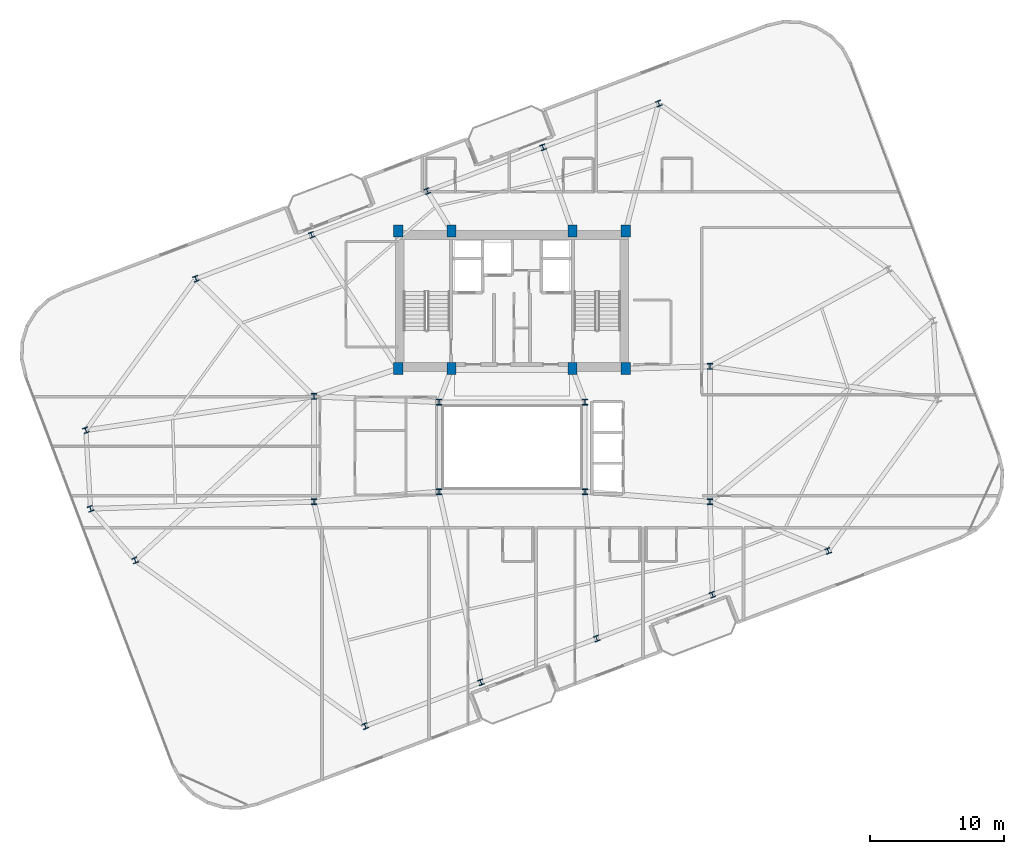
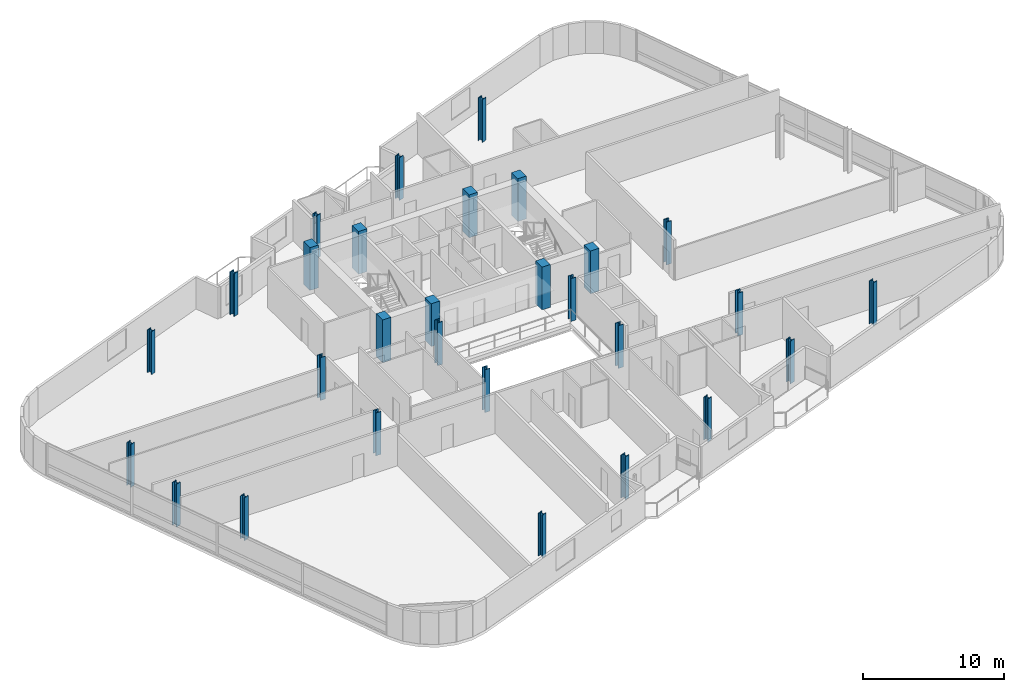
# One storey, part 1 of 24: 29 columns.
"""IFC4 building model written with IfcOpenShell, lengths in metres."""

from ifc_helpers import new_model, si_unit, direction, frame, origin, origin_2d, place, context, subcontext, project, spatial, rectangle, i_section, extrude, material, material_profile, profile_set, type_object, element, save


model = new_model("IFC4")

# Units and contexts
model_context = context("Model", 3, precision=1e-05, world=origin(), true_north=direction((0.0, 1.0)))
body_context = subcontext(model_context, "Body", "Model", "MODEL_VIEW")
ifc_project = project(units=[si_unit("LENGTHUNIT", "METRE"), si_unit("AREAUNIT", "SQUARE_METRE"), si_unit("VOLUMEUNIT", "CUBIC_METRE"), si_unit("PLANEANGLEUNIT", "RADIAN"), si_unit("MASSUNIT", "GRAM", prefix="KILO")], contexts=[model_context])

# Site, building, storey
site_placement = place(None, origin())
site = spatial("IfcSite", under=ifc_project, at=site_placement, CompositionType="ELEMENT")
building_placement = place(site_placement, origin())
building = spatial("IfcBuilding", under=site, at=building_placement, Name="Varnelok Gate Tower", CompositionType="ELEMENT")
storey_placement = place(building_placement, frame((0.0, 0.0, 242.300048828125)))
storey = spatial("IfcBuildingStorey", under=building, at=storey_placement, Name="L62", CompositionType="ELEMENT", Elevation=242.300048828125)

# Columns
ifc_material_1 = material(Name="Concrete C60/75", Category="concrete")
ifc_material_profile_1 = material_profile(ifc_material_1, rectangle(XDim=0.699951171875, YDim=0.89990234375, at=origin_2d()), Name="RC900X700")
ifc_profile_set_1 = profile_set([ifc_material_profile_1], Name="Concrete C60/75")
column_type_1 = type_object("IfcColumnType", Name="COL-RC900X700", PredefinedType="COLUMN", material=ifc_profile_set_1)
for number, where, z_axis, x_axis, name in (
    (1, (30.699951171875, 28.75, 0.0), (0.0, 0.0, 1.0), (1.0, 0.0, 0.0), "L62 Core Spine Column SC1"),
    (2, (34.679931640625, 28.75, 0.0), (0.0, 0.0, 1.0), (1.0, 0.0, 0.0), "L62 Core Spine Column SC2"),
    (3, (43.719970703125, 28.75, 0.0), (0.0, 0.0, 1.0), (1.0, 0.0, 0.0), "L62 Core Spine Column SC3"),
    (4, (47.699951171875, 28.75, 0.0), (0.0, 0.0, 1.0), (1.0, 0.0, 0.0), "L62 Core Spine Column SC4"),
    (5, (30.699951171875, 39.050048828125, 0.0), (0.0, 0.0, 1.0), (1.0, 0.0, 0.0), "L62 Core Spine Column SC5"),
    (6, (34.679931640625, 39.050048828125, 0.0), (0.0, 0.0, 1.0), (1.0, 0.0, 0.0), "L62 Core Spine Column SC6"),
    (7, (43.719970703125, 39.050048828125, 0.0), (0.0, 0.0, 1.0), (1.0, 0.0, 0.0), "L62 Core Spine Column SC7"),
    (8, (47.699951171875, 39.050048828125, 0.0), (0.0, 0.0, 1.0), (1.0, 0.0, 0.0), "L62 Core Spine Column SC8"),
):
    element("IfcColumn", number, at=place(storey_placement, frame(where, z_axis=z_axis, x_axis=x_axis)), inside=storey, type_object=column_type_1, Name=name, PredefinedType="COLUMN", context=body_context, shape_type="SweptSolid", body=[
        extrude(rectangle(XDim=0.699951171875, YDim=0.89990234375, at=origin_2d()), origin(), (0.0, 0.0, 1.0), 3.699951171875),
    ])
ifc_material_2 = material(Name="Structural Steel ASTM A992 Grade 50", Category="steel")
ifc_material_profile_2 = material_profile(ifc_material_2, i_section(OverallWidth=0.406005859375, OverallDepth=0.416015625, WebThickness=0.02978515625, FlangeThickness=0.048095703125, FilletRadius=0.02490234375, at=origin_2d()), Name="W14X257")
ifc_profile_set_2 = profile_set([ifc_material_profile_2], Name="Structural Steel ASTM A992 Grade 50")
column_type_2 = type_object("IfcColumnType", Name="COL-W14X257", PredefinedType="COLUMN", material=ifc_profile_set_2)
for number, where, z_axis, x_axis, name in (
    (9, (28.22900390625, 2.028076171875, 0.0), (0.0, 0.0, 1.0), (0.935221751401, 0.354062530786, 0.0), "L62 B5 Perimeter Column PC01"),
    (10, (36.8798828125, 5.30322265625, 0.0), (0.0, 0.0, 1.0), (0.935221751401, 0.354062530786, 0.0), "L62 B5 Perimeter Column PC02"),
    (11, (45.530517578125, 8.578125, 0.0), (0.0, 0.0, 1.0), (0.935221751401, 0.354062530786, 0.0), "L62 B5 Perimeter Column PC03"),
    (12, (54.181396484375, 11.853271484375, 0.0), (0.0, 0.0, 1.0), (0.935221751401, 0.354062530786, 0.0), "L62 B5 Perimeter Column PC04"),
    (13, (62.832275390625, 15.12841796875, 0.0), (0.0, 0.0, 1.0), (0.935221751401, 0.354062530786, 0.0), "L62 B5 Perimeter Column PC05"),
    (14, (50.1708984375, 48.572021484375, 0.0), (0.0, 0.0, 1.0), (0.935221751401, 0.354062530786, 0.0), "L62 B5 Perimeter Column PC09"),
    (15, (41.520263671875, 45.296875, 0.0), (0.0, 0.0, 1.0), (0.935221751401, 0.354062530786, 0.0), "L62 B5 Perimeter Column PC10"),
    (16, (32.869384765625, 42.021728515625, 0.0), (0.0, 0.0, 1.0), (0.935221751401, 0.354062530786, 0.0), "L62 B5 Perimeter Column PC11"),
    (17, (24.218505859375, 38.74658203125, 0.0), (0.0, 0.0, 1.0), (0.935221751401, 0.354062530786, 0.0), "L62 B5 Perimeter Column PC12"),
    (18, (15.56787109375, 35.4716796875, 0.0), (0.0, 0.0, 1.0), (0.935221751401, 0.354062530786, 0.0), "L62 B5 Perimeter Column PC13"),
    (19, (7.344970703125, 24.146484375, 0.0), (0.0, 0.0, 1.0), (0.935221751401, 0.354062530786, 0.0), "L62 B5 Perimeter Column PC14"),
    (20, (7.694580078125, 18.280517578125, 0.0), (0.0, 0.0, 1.0), (0.935221751401, 0.354062530786, 0.0), "L62 B5 Perimeter Column PC15"),
    (21, (11.027099609375, 14.42041015625, 0.0), (0.0, 0.0, 1.0), (0.935221751401, 0.354062530786, 0.0), "L62 B5 Perimeter Column PC16"),
):
    element("IfcColumn", number, at=place(storey_placement, frame(where, z_axis=z_axis, x_axis=x_axis)), inside=storey, type_object=column_type_2, Name=name, PredefinedType="COLUMN", context=body_context, shape_type="SweptSolid", body=[
        extrude(i_section(OverallWidth=0.406005859375, OverallDepth=0.416015625, WebThickness=0.02978515625, FlangeThickness=0.048095703125, FilletRadius=0.02490234375, at=origin_2d()), origin(), (0.0, 0.0, 1.0), 3.699951171875),
    ])
ifc_material_profile_3 = material_profile(ifc_material_2, i_section(OverallWidth=0.412109375, OverallDepth=0.43505859375, WebThickness=0.035888671875, FlangeThickness=0.057373046875, FilletRadius=0.02490234375, at=origin_2d()), Name="W14X311")
ifc_profile_set_3 = profile_set([ifc_material_profile_3], Name="Structural Steel ASTM A992 Grade 50")
column_type_3 = type_object("IfcColumnType", Name="COL-W14X311", PredefinedType="COLUMN", material=ifc_profile_set_3)
for number, where, z_axis, x_axis, name in (
    (22, (33.75, 19.550048828125, 0.0), (0.0, 0.0, 1.0), (1.0, 0.0, 0.0), "L62 Atrium Spine Column AC1"),
    (23, (44.64990234375, 19.550048828125, 0.0), (0.0, 0.0, 1.0), (1.0, 0.0, 0.0), "L62 Atrium Spine Column AC2"),
    (24, (33.75, 26.25, 0.0), (0.0, 0.0, 1.0), (1.0, 0.0, 0.0), "L62 Atrium Spine Column AC3"),
    (25, (44.64990234375, 26.25, 0.0), (0.0, 0.0, 1.0), (1.0, 0.0, 0.0), "L62 Atrium Spine Column AC4"),
    (26, (24.39990234375, 18.800048828125, 0.0), (0.0, 0.0, 1.0), (1.0, 0.0, 0.0), "L62 Wing Spine Column WS1"),
    (27, (24.39990234375, 26.679931640625, 0.0), (0.0, 0.0, 1.0), (1.0, 0.0, 0.0), "L62 Wing Spine Column WS2"),
    (28, (54.0, 18.800048828125, 0.0), (0.0, 0.0, 1.0), (1.0, 0.0, 0.0), "L62 Wing Spine Column ES1"),
    (29, (54.0, 28.919921875, 0.0), (0.0, 0.0, 1.0), (1.0, 0.0, 0.0), "L62 Wing Spine Column ES2"),
):
    element("IfcColumn", number, at=place(storey_placement, frame(where, z_axis=z_axis, x_axis=x_axis)), inside=storey, type_object=column_type_3, Name=name, PredefinedType="COLUMN", context=body_context, shape_type="SweptSolid", body=[
        extrude(i_section(OverallWidth=0.412109375, OverallDepth=0.43505859375, WebThickness=0.035888671875, FlangeThickness=0.057373046875, FilletRadius=0.02490234375, at=origin_2d()), origin(), (0.0, 0.0, 1.0), 3.699951171875),
    ])

save(model, "model.ifc")
